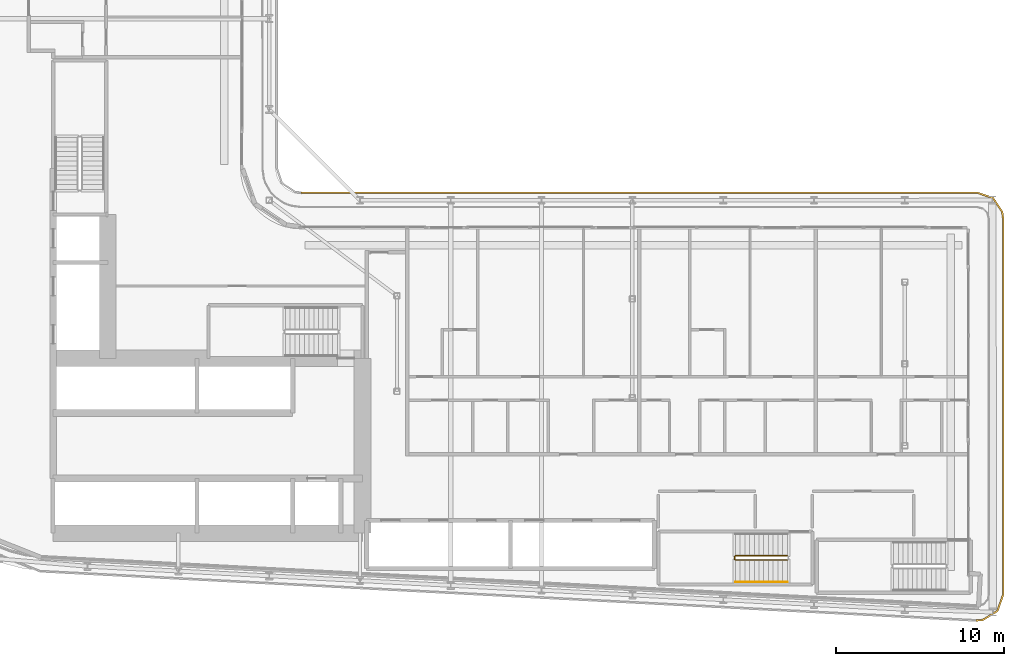
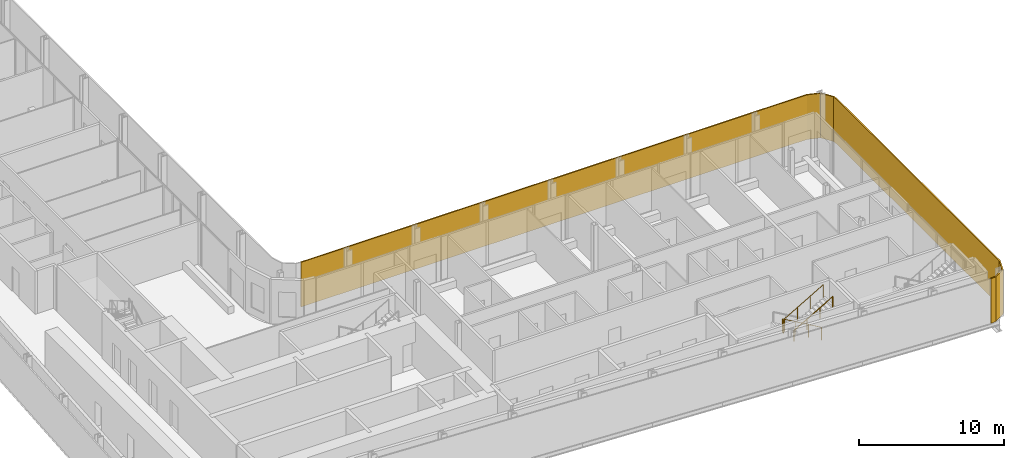
# One storey, part 21 of 25: 2 railings, 1 shading device.
"""IFC4 building model written with IfcOpenShell, lengths in metres."""

from ifc_helpers import new_model, si_unit, direction, frame, origin, origin_2d, place, context, subcontext, project, spatial, polyline, circle, outline, extrude, material, layer, layer_set, type_object, element, save


model = new_model("IFC4")

# Units and contexts
model_context = context("Model", 3, precision=1e-05, world=origin(), true_north=direction((0.0, 1.0)))
body_context = subcontext(model_context, "Body", "Model", "MODEL_VIEW")
ifc_project = project(units=[si_unit("LENGTHUNIT", "METRE"), si_unit("AREAUNIT", "SQUARE_METRE"), si_unit("VOLUMEUNIT", "CUBIC_METRE"), si_unit("PLANEANGLEUNIT", "RADIAN"), si_unit("MASSUNIT", "GRAM", prefix="KILO")], contexts=[model_context])

# Site, building, storey
site_placement = place(None, origin())
site = spatial("IfcSite", under=ifc_project, at=site_placement, CompositionType="ELEMENT")
building_placement = place(site_placement, origin())
building = spatial("IfcBuilding", under=site, at=building_placement, Name="Kheshtan School and Residences Tower", CompositionType="ELEMENT")
storey_placement = place(building_placement, frame((0.0, 0.0, 34.39990234375)))
storey = spatial("IfcBuildingStorey", under=building, at=storey_placement, Name="L07", CompositionType="ELEMENT", Elevation=34.39990234375)

# Shading device
ifc_material_1 = material(Name="Terracotta lattice, extruded ceramic", Category="masonry")
ifc_layer = layer(ifc_material_1, 0.10009765625)
ifc_layer_set = layer_set([ifc_layer], Name="Loggia screen, terracotta lattice")
shading_device_type = type_object("IfcShadingDeviceType", Name="Loggia screen, terracotta lattice", PredefinedType="USERDEFINED", material=ifc_layer_set)
shading_device_placement = place(storey_placement, origin())
element("IfcShadingDevice", 1, at=shading_device_placement, inside=storey, type_object=shading_device_type, Name="Screen L07 2", ObjectType="SCREEN", PredefinedType="USERDEFINED", context=body_context, shape_type="SweptSolid", body=[
    extrude(outline(polyline([(49.5, 46.0), (89.699951171875, 46.0), (90.613037109375, 45.68994140625), (91.14892578125, 44.887939453125), (91.199951171875, 44.5), (91.199951171875, 22.14892578125), (90.8701171875, 21.2099609375), (90.02392578125, 20.68505859375), (89.62109375, 20.652099609375), (89.62890625, 20.552001953125), (90.055908203125, 20.5869140625), (90.952880859375, 21.14404296875), (91.300048828125, 22.132080078125), (91.300048828125, 44.507080078125), (91.2451171875, 44.924072265625), (90.677001953125, 45.77392578125), (89.717041015625, 46.10009765625), (49.5, 46.10009765625), (49.5, 46.0)])), origin(), (0.0, 0.0, 1.0), 3.75),
])

# Railings
ifc_material_2 = material(Name="Stainless steel balustrade", Category="steel")
railing_type_1 = type_object("IfcRailingType", Name="Stair guard 1100", PredefinedType="GUARDRAIL", material=ifc_material_2)
railing_1_placement = place(storey_placement, frame((78.409912109375, 24.449951171875, 0.16259765625)))
element("IfcRailing", 2, at=railing_1_placement, inside=storey, type_object=railing_type_1, Name="L07 ST5 stair guard 1", PredefinedType="GUARDRAIL", context=body_context, shape_type="SweptSolid", body=[
    extrude(circle(Radius=0.02392578125, at=origin_2d()), frame((0.0, 0.0, 1.076171875), z_axis=(-0.864873446163, 0.0, 0.501989962173), x_axis=(0.0, -1.0, 0.0)), (0.0, 0.0, 1.0), 3.56103515625),
    extrude(circle(Radius=0.02392578125, at=origin_2d()), frame((-3.079833984375, 0.0, 2.86376953125), z_axis=(-0.707106781187, -0.707106781187, 0.0), x_axis=(0.707106781187, -0.707106781187, 0.0)), (0.0, 0.0, 1.0), 0.07080078125),
    extrude(circle(Radius=0.02392578125, at=origin_2d()), frame((-3.1298828125, -0.050048828125, 2.86376953125), z_axis=(0.0, -1.0, 0.0), x_axis=(1.0, 0.0, 0.0)), (0.0, 0.0, 1.0), 0.14990234375),
    extrude(circle(Radius=0.02392578125, at=origin_2d()), frame((-3.1298828125, -0.199951171875, 2.86376953125), z_axis=(0.282583949758, -0.282583949758, 0.916674763849), x_axis=(0.707106781187, 0.707106781187, 0.0)), (0.0, 0.0, 1.0), 0.177001953125),
    extrude(circle(Radius=0.02392578125, at=origin_2d()), frame((-3.079833984375, -0.25, 3.02587890625), z_axis=(0.864873446163, 0.0, 0.501989962173), x_axis=(0.0, 1.0, 0.0)), (0.0, 0.0, 1.0), 3.56103515625),
    extrude(circle(Radius=0.02099609375, at=origin_2d()), origin(), (0.0, 0.0, 1.0), 1.052001953125),
    extrude(circle(Radius=0.02099609375, at=origin_2d()), frame((-1.026611328125, 0.0, 0.595947265625)), (0.0, 0.0, 1.0), 1.052001953125),
    extrude(circle(Radius=0.02099609375, at=origin_2d()), frame((-2.05322265625, 0.0, 1.191650390625)), (0.0, 0.0, 1.0), 1.052001953125),
    extrude(circle(Radius=0.02099609375, at=origin_2d()), frame((-3.079833984375, 0.0, 1.78759765625)), (0.0, 0.0, 1.0), 1.052001953125),
    extrude(circle(Radius=0.02099609375, at=origin_2d()), frame((-3.1298828125, -0.050048828125, 1.78759765625)), (0.0, 0.0, 1.0), 1.052001953125),
    extrude(circle(Radius=0.02099609375, at=origin_2d()), frame((-3.1298828125, -0.199951171875, 1.78759765625)), (0.0, 0.0, 1.0), 1.052001953125),
    extrude(circle(Radius=0.02099609375, at=origin_2d()), frame((-3.079833984375, -0.25, 1.949951171875)), (0.0, 0.0, 1.0), 1.052001953125),
    extrude(circle(Radius=0.02099609375, at=origin_2d()), frame((-2.05322265625, -0.25, 2.5458984375)), (0.0, 0.0, 1.0), 1.052001953125),
    extrude(circle(Radius=0.02099609375, at=origin_2d()), frame((-1.026611328125, -0.25, 3.1416015625)), (0.0, 0.0, 1.0), 1.052001953125),
    extrude(circle(Radius=0.02099609375, at=origin_2d()), frame((0.0, -0.25, 3.737548828125)), (0.0, 0.0, 1.0), 1.052001953125),
])
ifc_material_3 = material(Name="Stainless steel handrail", Category="steel")
railing_type_2 = type_object("IfcRailingType", Name="Stair handrail 900", PredefinedType="HANDRAIL", material=ifc_material_3)
railing_2_placement = place(storey_placement, frame((75.330078125, 22.89990234375, 2.112548828125)))
element("IfcRailing", 3, at=railing_2_placement, inside=storey, type_object=railing_type_2, Name="L07 ST5 stair handrail 2", PredefinedType="HANDRAIL", context=body_context, shape_type="SweptSolid", body=[
    extrude(circle(Radius=0.02392578125, at=origin_2d()), frame((0.0, 0.0, 0.8759765625), z_axis=(0.864873446163, 0.0, 0.501989962173), x_axis=(0.0, 1.0, 0.0)), (0.0, 0.0, 1.0), 3.56103515625),
    extrude(circle(Radius=0.02099609375, at=origin_2d()), origin(), (0.0, 0.0, 1.0), 0.851806640625),
    extrude(circle(Radius=0.02099609375, at=origin_2d()), frame((1.026611328125, 0.0, 0.595947265625)), (0.0, 0.0, 1.0), 0.851806640625),
    extrude(circle(Radius=0.02099609375, at=origin_2d()), frame((2.05322265625, 0.0, 1.191650390625)), (0.0, 0.0, 1.0), 0.851806640625),
    extrude(circle(Radius=0.02099609375, at=origin_2d()), frame((3.079833984375, 0.0, 1.78759765625)), (0.0, 0.0, 1.0), 0.851806640625),
])

save(model, "model.ifc")
